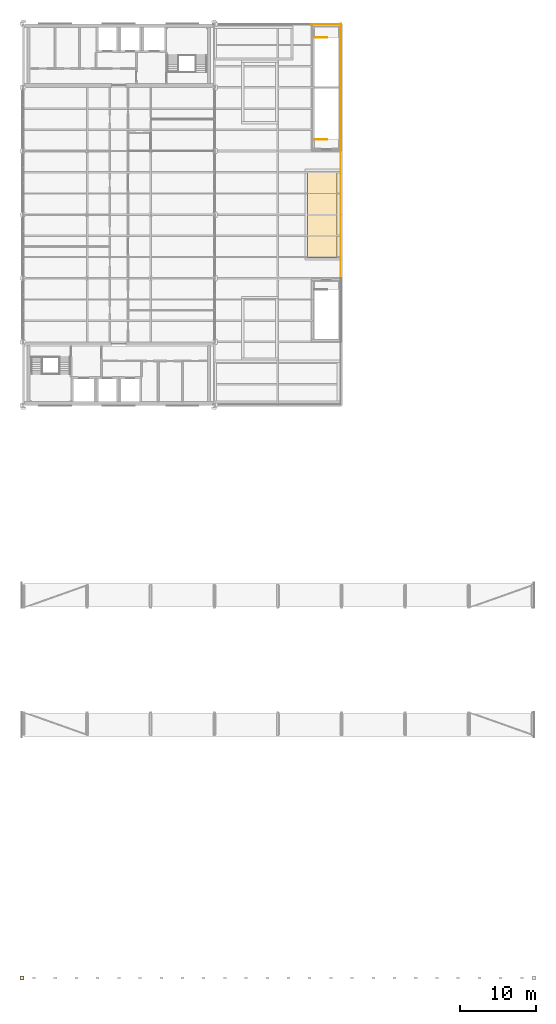
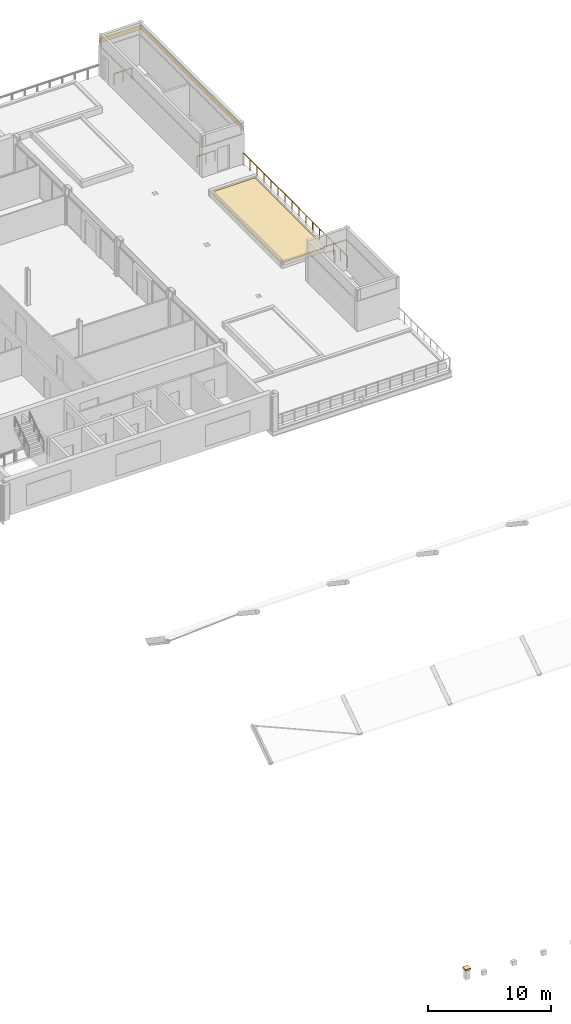
# One storey, part 31 of 32: 4 coverings, 3 railings.
"""IFC4 building model written with IfcOpenShell, lengths in metres."""

from ifc_helpers import new_model, si_unit, direction, frame, origin, origin_2d, place, context, subcontext, project, spatial, rectangle, circle, extrude, material, layer, layer_set, type_object, element, save


model = new_model("IFC4")

# Units and contexts
model_context = context("Model", 3, precision=1e-05, world=origin(), true_north=direction((0.0, 1.0)))
body_context = subcontext(model_context, "Body", "Model", "MODEL_VIEW")
ifc_project = project(units=[si_unit("LENGTHUNIT", "METRE"), si_unit("AREAUNIT", "SQUARE_METRE"), si_unit("VOLUMEUNIT", "CUBIC_METRE"), si_unit("PLANEANGLEUNIT", "RADIAN"), si_unit("MASSUNIT", "GRAM", prefix="KILO")], contexts=[model_context])

# Site, building, storey
site_placement = place(None, origin())
site = spatial("IfcSite", under=ifc_project, at=site_placement, CompositionType="ELEMENT")
building_placement = place(site_placement, origin())
building = spatial("IfcBuilding", under=site, at=building_placement, Name="Catenary Quay Ferry Terminal", CompositionType="ELEMENT")
storey_placement = place(building_placement, frame((0.0, 0.0, 17.10009765625)))
storey = spatial("IfcBuildingStorey", under=building, at=storey_placement, Name="L03", CompositionType="ELEMENT", Elevation=17.10009765625)

# Coverings
ifc_material_1 = material(Name="Pale glazed ceramic tile")
ifc_layer_1 = layer(ifc_material_1, 0.14990234375)
ifc_layer_set_1 = layer_set([ifc_layer_1], Name="FN2")
covering_type_1 = type_object("IfcCoveringType", Name="FN2", PredefinedType="CLADDING", material=ifc_layer_set_1)
covering_1_placement = place(storey_placement, frame((24.996826171875, 84.0, 1.101318359375), z_axis=(0.0, 0.0, 1.0), x_axis=(1.0, 0.0, 0.0)))
element("IfcCovering", 1, at=covering_1_placement, inside=storey, type_object=covering_type_1, Name="Glazed ceramic finial, cap", PredefinedType="CLADDING", context=body_context, shape_type="SweptSolid", body=[
    extrude(rectangle(XDim=0.5, YDim=0.5, at=origin_2d()), origin(), (0.0, 0.0, 1.0), 0.14990234375),
])
ifc_material_2 = material(Name="Ceramic tile")
ifc_layer_2 = layer(ifc_material_2, 0.030029296875)
ifc_layer_set_2 = layer_set([ifc_layer_2], Name="FR1")
covering_type_2 = type_object("IfcCoveringType", Name="FR1", PredefinedType="CLADDING", material=ifc_layer_set_2)
covering_2_placement = place(storey_placement, frame((65.199951171875, 209.93994140625, 3.19970703125), z_axis=(0.0, 0.0, 1.0), x_axis=(1.0, 0.0, 0.0)))
element("IfcCovering", 2, at=covering_2_placement, inside=storey, type_object=covering_type_2, Name="Glazed tile frieze", PredefinedType="CLADDING", context=body_context, shape_type="SweptSolid", body=[
    extrude(rectangle(XDim=3.9599609375, YDim=0.030029296875, at=origin_2d()), origin(), (0.0, 0.0, 1.0), 0.449951171875),
])
covering_3_placement = place(storey_placement, frame((67.139892578125, 201.60009765625, 3.19970703125), z_axis=(0.0, 0.0, 1.0), x_axis=(1.0, 0.0, 0.0)))
element("IfcCovering", 3, at=covering_3_placement, inside=storey, type_object=covering_type_2, Name="Glazed tile frieze", PredefinedType="CLADDING", context=body_context, shape_type="SweptSolid", body=[
    extrude(rectangle(XDim=0.030029296875, YDim=16.760009765625, at=origin_2d()), origin(), (0.0, 0.0, 1.0), 0.449951171875),
])

# Railings
ifc_material_3 = material(Name="Steel and glass", Category="steel")
railing_type_1 = type_object("IfcRailingType", Name="GI1", PredefinedType="GUARDRAIL", material=ifc_material_3)
for number, where, name in (
    (4, (63.60009765625, 194.699951171875, 0.0), "HS4 well guard GI236"),
    (5, (63.60009765625, 208.199951171875, 0.0), "HS5 well guard GI268"),
):
    element("IfcRailing", number, at=place(storey_placement, frame(where)), inside=storey, type_object=railing_type_1, Name=name, PredefinedType="GUARDRAIL", context=body_context, shape_type="SweptSolid", body=[
        extrude(circle(Radius=0.02392578125, at=origin_2d()), frame((0.0, 0.0, 1.076171875), z_axis=(1.0, 0.0, 0.0), x_axis=(0.0, 1.0, 0.0)), (0.0, 0.0, 1.0), 1.699951171875),
        extrude(circle(Radius=0.02099609375, at=origin_2d()), origin(), (0.0, 0.0, 1.0), 1.052001953125),
        extrude(circle(Radius=0.02099609375, at=origin_2d()), frame((0.85009765625, 0.0, 0.0)), (0.0, 0.0, 1.0), 1.052001953125),
        extrude(circle(Radius=0.02099609375, at=origin_2d()), frame((1.699951171875, 0.0, 0.0)), (0.0, 0.0, 1.0), 1.052001953125),
    ])
ifc_material_4 = material(Name="Steel", Category="steel")
railing_type_2 = type_object("IfcRailingType", Name="GT1", PredefinedType="GUARDRAIL", material=ifc_material_4)
railing_placement = place(storey_placement, frame((67.10009765625, 193.300048828125, 0.0)))
element("IfcRailing", 6, at=railing_placement, inside=storey, type_object=railing_type_2, Name="Terrace guard GR28", PredefinedType="GUARDRAIL", context=body_context, shape_type="SweptSolid", body=[
    extrude(circle(Radius=0.02392578125, at=origin_2d()), frame((0.0, 0.0, 1.076171875), z_axis=(0.0, -1.0, 0.0), x_axis=(1.0, 0.0, 0.0)), (0.0, 0.0, 1.0), 17.0),
    extrude(circle(Radius=0.02099609375, at=origin_2d()), origin(), (0.0, 0.0, 1.0), 1.052001953125),
    extrude(circle(Radius=0.02099609375, at=origin_2d()), frame((0.0, -1.13330078125, 0.0)), (0.0, 0.0, 1.0), 1.052001953125),
    extrude(circle(Radius=0.02099609375, at=origin_2d()), frame((0.0, -2.2666015625, 0.0)), (0.0, 0.0, 1.0), 1.052001953125),
    extrude(circle(Radius=0.02099609375, at=origin_2d()), frame((0.0, -3.39990234375, 0.0)), (0.0, 0.0, 1.0), 1.052001953125),
    extrude(circle(Radius=0.02099609375, at=origin_2d()), frame((0.0, -4.533447265625, 0.0)), (0.0, 0.0, 1.0), 1.052001953125),
    extrude(circle(Radius=0.02099609375, at=origin_2d()), frame((0.0, -5.666748046875, 0.0)), (0.0, 0.0, 1.0), 1.052001953125),
    extrude(circle(Radius=0.02099609375, at=origin_2d()), frame((0.0, -6.800048828125, 0.0)), (0.0, 0.0, 1.0), 1.052001953125),
    extrude(circle(Radius=0.02099609375, at=origin_2d()), frame((0.0, -7.933349609375, 0.0)), (0.0, 0.0, 1.0), 1.052001953125),
    extrude(circle(Radius=0.02099609375, at=origin_2d()), frame((0.0, -9.066650390625, 0.0)), (0.0, 0.0, 1.0), 1.052001953125),
    extrude(circle(Radius=0.02099609375, at=origin_2d()), frame((0.0, -10.199951171875, 0.0)), (0.0, 0.0, 1.0), 1.052001953125),
    extrude(circle(Radius=0.02099609375, at=origin_2d()), frame((0.0, -11.333251953125, 0.0)), (0.0, 0.0, 1.0), 1.052001953125),
    extrude(circle(Radius=0.02099609375, at=origin_2d()), frame((0.0, -12.466552734375, 0.0)), (0.0, 0.0, 1.0), 1.052001953125),
    extrude(circle(Radius=0.02099609375, at=origin_2d()), frame((0.0, -13.60009765625, 0.0)), (0.0, 0.0, 1.0), 1.052001953125),
    extrude(circle(Radius=0.02099609375, at=origin_2d()), frame((0.0, -14.7333984375, 0.0)), (0.0, 0.0, 1.0), 1.052001953125),
    extrude(circle(Radius=0.02099609375, at=origin_2d()), frame((0.0, -15.86669921875, 0.0)), (0.0, 0.0, 1.0), 1.052001953125),
    extrude(circle(Radius=0.02099609375, at=origin_2d()), frame((0.0, -17.0, 0.0)), (0.0, 0.0, 1.0), 1.052001953125),
])

# Covering
ifc_material_5 = material(Name="Planting soil")
ifc_layer_3 = layer(ifc_material_5, 0.449951171875)
ifc_layer_set_3 = layer_set([ifc_layer_3], Name="SO1")
covering_type_3 = type_object("IfcCoveringType", Name="SO1", PredefinedType="FLOORING", material=ifc_layer_set_3)
covering_4_placement = place(storey_placement, frame((64.64990234375, 184.800048828125, 0.0), z_axis=(0.0, 0.0, 1.0), x_axis=(1.0, 0.0, 0.0)))
element("IfcCovering", 7, at=covering_4_placement, inside=storey, type_object=covering_type_3, Name="Planting soil bed", PredefinedType="FLOORING", context=body_context, shape_type="SweptSolid", body=[
    extrude(rectangle(XDim=3.89990234375, YDim=11.39990234375, at=origin_2d()), origin(), (0.0, 0.0, 1.0), 0.449951171875),
])

save(model, "model.ifc")
